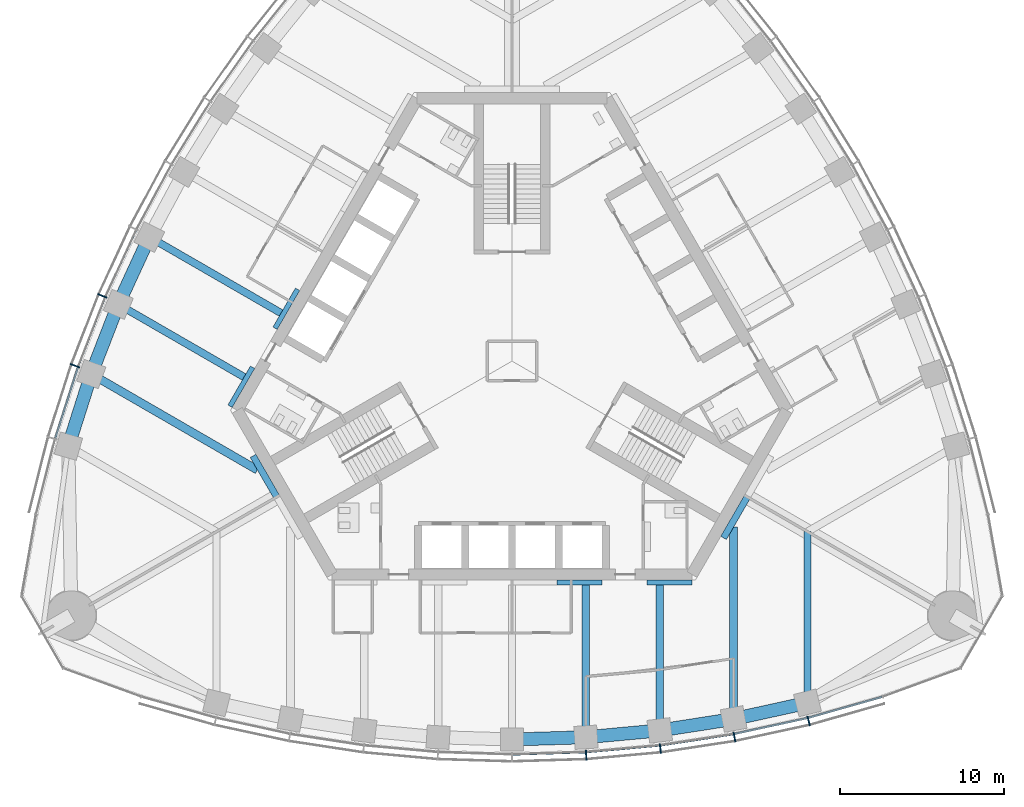
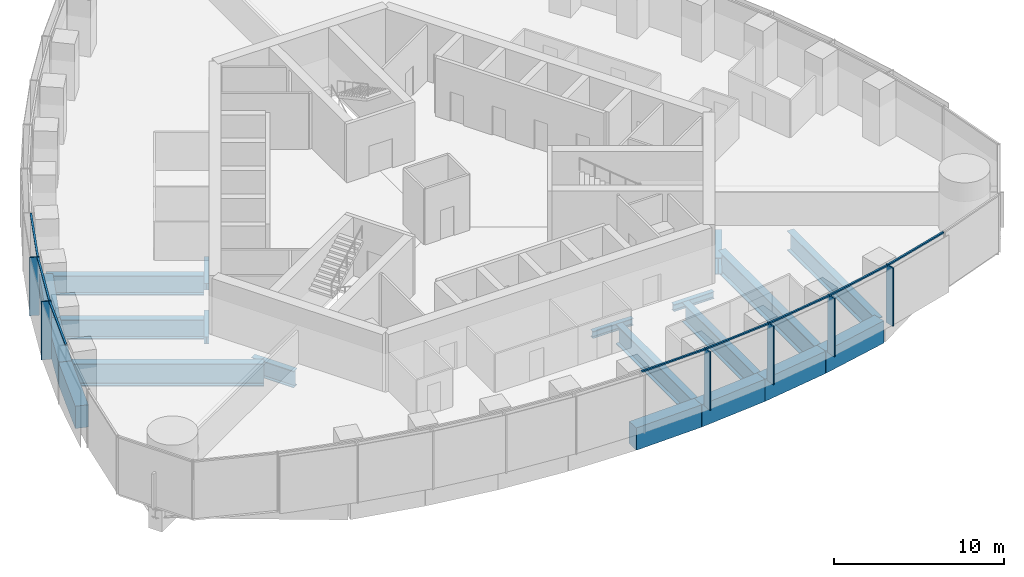
# One storey, part 3 of 14: 20 beams, 14 members, 2 elements without a shape of their own.
"""IFC4 building model written with IfcOpenShell, lengths in metres."""

from ifc_helpers import new_model, si_unit, direction, frame, origin, origin_2d, place, context, subcontext, project, spatial, rectangle, i_section, extrude, material, material_profile, profile_set, type_object, element, aggregate, save


model = new_model("IFC4")

# Units and contexts
model_context = context("Model", 3, precision=1e-05, world=origin(), true_north=direction((0.0, 1.0)))
body_context = subcontext(model_context, "Body", "Model", "MODEL_VIEW")
ifc_project = project(units=[si_unit("LENGTHUNIT", "METRE"), si_unit("AREAUNIT", "SQUARE_METRE"), si_unit("VOLUMEUNIT", "CUBIC_METRE"), si_unit("PLANEANGLEUNIT", "RADIAN"), si_unit("MASSUNIT", "GRAM", prefix="KILO")], contexts=[model_context])

# Site, building, storey
site_placement = place(None, origin())
site = spatial("IfcSite", under=ifc_project, at=site_placement, CompositionType="ELEMENT")
building_placement = place(site_placement, origin())
building = spatial("IfcBuilding", under=site, at=building_placement, Name="Trefoil Bronze Tower", CompositionType="ELEMENT")
storey_placement = place(building_placement, frame((0.0, 0.0, 280.5)))
storey = spatial("IfcBuildingStorey", under=building, at=storey_placement, Name="L64", CompositionType="ELEMENT", Elevation=280.5)

# Curtain wall, members
ifc_material_1 = material(Name="Tinted solar-control glass", Category="glass")
curtain_wall_type = type_object("IfcCurtainWallType", Name="Bronze office curtain wall", PredefinedType="USERDEFINED", material=ifc_material_1)
curtain_wall_1_placement = place(storey_placement, origin())
curtain_wall_1 = element("IfcCurtainWall", 1, at=curtain_wall_1_placement, inside=storey, type_object=curtain_wall_type, Name="CW-A L64 F1", ObjectType="CURTAIN WALL", PredefinedType="USERDEFINED")
ifc_material_2 = material(Name="Bronze-finish aluminium", Category="aluminium")
ifc_material_profile_1 = material_profile(ifc_material_2, rectangle(XDim=0.60009765625, YDim=0.080078125, at=origin_2d()), Name="CW-A mullion")
ifc_profile_set_1 = profile_set([ifc_material_profile_1], Name="Bronze-finish aluminium")
member_type_1 = type_object("IfcMemberType", Name="Bronze office curtain wall mullion", PredefinedType="MULLION", material=ifc_profile_set_1)
member_1_placement = place(storey_placement, frame((4.51806640625, -24.014892578125, 0.0), z_axis=(0.0, 0.0, 1.0), x_axis=(-0.060554040199, 0.998164920349, 0.0)))
member_1 = element("IfcMember", 2, at=member_1_placement, type_object=member_type_1, Name="CW-A L64 F1 mullion 7", PredefinedType="MULLION", context=body_context, shape_type="SweptSolid", body=[
    extrude(rectangle(XDim=0.60009765625, YDim=0.080078125, at=origin_2d()), origin(), (0.0, 0.0, 1.0), 4.179931640625),
])
member_2_placement = place(storey_placement, frame((9.036376953125, -23.602783203125, 0.0), z_axis=(0.0, 0.0, 1.0), x_axis=(-0.121109330868, 0.992639174109, 0.0)))
member_2 = element("IfcMember", 3, at=member_2_placement, type_object=member_type_1, Name="CW-A L64 F1 mullion 8", PredefinedType="MULLION", context=body_context, shape_type="SweptSolid", body=[
    extrude(rectangle(XDim=0.60009765625, YDim=0.080078125, at=origin_2d()), origin(), (0.0, 0.0, 1.0), 4.179931640625),
])
member_3_placement = place(storey_placement, frame((13.554443359375, -22.911376953125, 0.0), z_axis=(0.0, 0.0, 1.0), x_axis=(-0.181667218242, 0.983360067227, 0.0)))
member_3 = element("IfcMember", 4, at=member_3_placement, type_object=member_type_1, Name="CW-A L64 F1 mullion 9", PredefinedType="MULLION", context=body_context, shape_type="SweptSolid", body=[
    extrude(rectangle(XDim=0.60009765625, YDim=0.080078125, at=origin_2d()), origin(), (0.0, 0.0, 1.0), 4.179931640625),
])
member_4_placement = place(storey_placement, frame((18.07275390625, -21.931884765625, 0.0), z_axis=(0.0, 0.0, 1.0), x_axis=(-0.242394494031, 0.97017777199, 0.0)))
member_4 = element("IfcMember", 5, at=member_4_placement, type_object=member_type_1, Name="CW-A L64 F1 mullion 10", PredefinedType="MULLION", context=body_context, shape_type="SweptSolid", body=[
    extrude(rectangle(XDim=0.60009765625, YDim=0.080078125, at=origin_2d()), origin(), (0.0, 0.0, 1.0), 4.179931640625),
])

curtain_wall_2_placement = place(storey_placement, origin())
curtain_wall_2 = element("IfcCurtainWall", 6, at=curtain_wall_2_placement, inside=storey, type_object=curtain_wall_type, Name="CW-A L64 F3", ObjectType="CURTAIN WALL", PredefinedType="USERDEFINED")
member_5_placement = place(storey_placement, frame((-24.958984375, 3.975830078125, 0.0), z_axis=(0.0, 0.0, 1.0), x_axis=(0.920205407004, -0.391435829888, 0.0)))
member_5 = element("IfcMember", 7, at=member_5_placement, type_object=member_type_1, Name="CW-A L64 F3 mullion 8", PredefinedType="MULLION", context=body_context, shape_type="SweptSolid", body=[
    extrude(rectangle(XDim=0.60009765625, YDim=0.080078125, at=origin_2d()), origin(), (0.0, 0.0, 1.0), 4.179931640625),
])
member_6_placement = place(storey_placement, frame((-26.618896484375, -0.282958984375, 0.0), z_axis=(0.0, 0.0, 1.0), x_axis=(0.942448408407, -0.334351607581, 0.0)))
member_6 = element("IfcMember", 8, at=member_6_placement, type_object=member_type_1, Name="CW-A L64 F3 mullion 9", PredefinedType="MULLION", context=body_context, shape_type="SweptSolid", body=[
    extrude(rectangle(XDim=0.60009765625, YDim=0.080078125, at=origin_2d()), origin(), (0.0, 0.0, 1.0), 4.179931640625),
])

# Member
ifc_material_3 = material(Name="Bronze-finish aluminium", Category="aluminium")
ifc_material_profile_2 = material_profile(ifc_material_3, rectangle(XDim=0.1201171875, YDim=0.10009765625, at=origin_2d()), Name="CW-A transom")
ifc_profile_set_2 = profile_set([ifc_material_profile_2], Name="Bronze-finish aluminium")
member_type_2 = type_object("IfcMemberType", Name="Bronze office curtain wall transom", PredefinedType="USERDEFINED", material=ifc_profile_set_2)
member_7_placement = place(storey_placement, frame((0.04296875, -23.950439453125, 4.1298828125), z_axis=(0.99954057115, 0.030309183848, 0.0), x_axis=(-0.030309183848, 0.99954057115, 0.0)))
member_7 = element("IfcMember", 9, at=member_7_placement, type_object=member_type_2, Name="CW-A L64 F1 transom 6", ObjectType="TRANSOM", PredefinedType="USERDEFINED", context=body_context, shape_type="SweptSolid", body=[
    extrude(rectangle(XDim=0.1201171875, YDim=0.10009765625, at=origin_2d()), origin(), (0.0, 0.0, 1.0), 4.422119140625),
])

member_8_placement = place(storey_placement, frame((4.548828125, -23.811279296875, 4.1298828125), z_axis=(0.995868373079, 0.090808499059, 0.0), x_axis=(-0.090808499059, 0.995868373079, 0.0)))
member_8 = element("IfcMember", 10, at=member_8_placement, type_object=member_type_2, Name="CW-A L64 F1 transom 7", ObjectType="TRANSOM", PredefinedType="USERDEFINED", context=body_context, shape_type="SweptSolid", body=[
    extrude(rectangle(XDim=0.1201171875, YDim=0.10009765625, at=origin_2d()), origin(), (0.0, 0.0, 1.0), 4.438720703125),
])

member_9_placement = place(storey_placement, frame((9.0546875, -23.39794921875, 4.1298828125), z_axis=(0.988485016014, 0.151318779787, 0.0), x_axis=(-0.151318779787, 0.988485016014, 0.0)))
member_9 = element("IfcMember", 11, at=member_9_placement, type_object=member_type_2, Name="CW-A L64 F1 transom 8", ObjectType="TRANSOM", PredefinedType="USERDEFINED", context=body_context, shape_type="SweptSolid", body=[
    extrude(rectangle(XDim=0.1201171875, YDim=0.10009765625, at=origin_2d()), origin(), (0.0, 0.0, 1.0), 4.472412109375),
])

member_10_placement = place(storey_placement, frame((13.560302734375, -22.70556640625, 4.1298828125), z_axis=(0.977303780028, 0.211842681117, 0.0), x_axis=(-0.211842681117, 0.977303780028, 0.0)))
member_10 = element("IfcMember", 12, at=member_10_placement, type_object=member_type_2, Name="CW-A L64 F1 transom 9", ObjectType="TRANSOM", PredefinedType="USERDEFINED", context=body_context, shape_type="SweptSolid", body=[
    extrude(rectangle(XDim=0.1201171875, YDim=0.10009765625, at=origin_2d()), origin(), (0.0, 0.0, 1.0), 4.524658203125),
])

member_11_placement = place(storey_placement, frame((18.065673828125, -21.72607421875, 4.1298828125), z_axis=(0.962102611578, 0.272687668944, 0.0), x_axis=(-0.272687668944, 0.962102611578, 0.0)))
member_11 = element("IfcMember", 13, at=member_11_placement, type_object=member_type_2, Name="CW-A L64 F1 transom 10", ObjectType="TRANSOM", PredefinedType="USERDEFINED", context=body_context, shape_type="SweptSolid", body=[
    extrude(rectangle(XDim=0.1201171875, YDim=0.10009765625, at=origin_2d()), origin(), (0.0, 0.0, 1.0), 4.6474609375),
])

aggregate(curtain_wall_1, [member_1, member_2, member_3, member_4, member_7, member_8, member_9, member_10, member_11])

member_12_placement = place(storey_placement, frame((-22.895751953125, 7.966064453125, 4.1298828125), z_axis=(-0.4192988407, -0.907848270466, 0.0), x_axis=(0.907848270466, -0.4192988407, 0.0)))
member_12 = element("IfcMember", 14, at=member_12_placement, type_object=member_type_2, Name="CW-A L64 F3 transom 7", ObjectType="TRANSOM", PredefinedType="USERDEFINED", context=body_context, shape_type="SweptSolid", body=[
    extrude(rectangle(XDim=0.1201171875, YDim=0.10009765625, at=origin_2d()), origin(), (0.0, 0.0, 1.0), 4.4384765625),
])

member_13_placement = place(storey_placement, frame((-24.79052734375, 3.857421875, 4.1298828125), z_axis=(-0.363178486404, -0.931719586042, 0.0), x_axis=(0.931719586042, -0.363178486404, 0.0)))
member_13 = element("IfcMember", 15, at=member_13_placement, type_object=member_type_2, Name="CW-A L64 F3 transom 8", ObjectType="TRANSOM", PredefinedType="USERDEFINED", context=body_context, shape_type="SweptSolid", body=[
    extrude(rectangle(XDim=0.1201171875, YDim=0.10009765625, at=origin_2d()), origin(), (0.0, 0.0, 1.0), 4.472412109375),
])

member_14_placement = place(storey_placement, frame((-26.443603515625, -0.390869140625, 4.1298828125), z_axis=(-0.305198606794, -0.95228872219, 0.0), x_axis=(0.95228872219, -0.305198606794, 0.0)))
member_14 = element("IfcMember", 16, at=member_14_placement, type_object=member_type_2, Name="CW-A L64 F3 transom 9", ObjectType="TRANSOM", PredefinedType="USERDEFINED", context=body_context, shape_type="SweptSolid", body=[
    extrude(rectangle(XDim=0.1201171875, YDim=0.10009765625, at=origin_2d()), origin(), (0.0, 0.0, 1.0), 4.5244140625),
])

aggregate(curtain_wall_2, [member_5, member_6, member_12, member_13, member_14])

# Beams
ifc_material_4 = material(Name="Steel C355", Category="steel")
ifc_material_profile_3 = material_profile(ifc_material_4, i_section(OverallWidth=0.300048828125, OverallDepth=0.5, WebThickness=0.014404296875, FlangeThickness=0.028076171875, FilletRadius=0.027099609375, at=origin_2d()), Name="HEB 500")
ifc_profile_set_3 = profile_set([ifc_material_profile_3], Name="Steel C355")
beam_type_1 = type_object("IfcBeamType", Name="Core seat beam HEB 500", PredefinedType="BEAM", material=ifc_profile_set_3)
for number, where, z_axis, x_axis, name in (
    (17, (2.742431640625, -13.5, -0.449951171875), (1.0, 0.0, 0.0), (0.0, 1.0, 0.0), "Core seat beam F1/+1 L64"),
    (18, (8.227294921875, -13.5, -0.449951171875), (1.0, 0.0, 0.0), (0.0, 1.0, 0.0), "Core seat beam F1/+2 L64"),
    (19, (-13.0625, 4.375, -0.449951171875), (-0.500035825175, -0.866004719122, 0.0), (0.866004719122, -0.500035825175, 0.0), "Core seat beam F3/+1 L64"),
    (20, (-15.804931640625, -0.375, -0.449951171875), (-0.500035825175, -0.866004719122, 0.0), (0.866004719122, -0.500035825175, 0.0), "Core seat beam F3/+2 L64"),
):
    element("IfcBeam", number, at=place(storey_placement, frame(where, z_axis=z_axis, x_axis=x_axis)), inside=storey, type_object=beam_type_1, Name=name, PredefinedType="BEAM", context=body_context, shape_type="SweptSolid", body=[
        extrude(i_section(OverallWidth=0.300048828125, OverallDepth=0.5, WebThickness=0.014404296875, FlangeThickness=0.028076171875, FilletRadius=0.027099609375, at=origin_2d()), origin(), (0.0, 0.0, 1.0), 2.742431640625),
    ])
ifc_material_5 = material(Name="Steel C355", Category="steel")
ifc_material_profile_4 = material_profile(ifc_material_5, i_section(OverallWidth=0.39990234375, OverallDepth=1.199951171875, WebThickness=0.02001953125, FlangeThickness=0.0400390625, FilletRadius=0.010009765625, at=origin_2d()), Name="WPG 1200")
ifc_profile_set_4 = profile_set([ifc_material_profile_4], Name="Steel C355")
beam_type_2 = type_object("IfcBeamType", Name="Core seat beam WPG 1200", PredefinedType="BEAM", material=ifc_profile_set_4)
for number, where, z_axis, x_axis, name in (
    (21, (12.889404296875, -10.77490234375, -0.800048828125), (0.499995765644, 0.866027848477, 0.0), (-0.866027848477, 0.499995765644, 0.0), "Core seat beam F1/+3 L64"),
    (22, (-15.776123046875, -5.77490234375, -0.800048828125), (0.499995765644, -0.866027848477, 0.0), (0.866027848477, 0.499995765644, 0.0), "Core seat beam F3/+3 L64"),
):
    element("IfcBeam", number, at=place(storey_placement, frame(where, z_axis=z_axis, x_axis=x_axis)), inside=storey, type_object=beam_type_2, Name=name, PredefinedType="BEAM", context=body_context, shape_type="SweptSolid", body=[
        extrude(i_section(OverallWidth=0.39990234375, OverallDepth=1.199951171875, WebThickness=0.02001953125, FlangeThickness=0.0400390625, FilletRadius=0.010009765625, at=origin_2d()), origin(), (0.0, 0.0, 1.0), 2.88671875),
    ])
ifc_material_6 = material(Name="Steel C355", Category="steel")
ifc_material_profile_5 = material_profile(ifc_material_6, i_section(OverallWidth=0.449951171875, OverallDepth=1.39990234375, WebThickness=0.02294921875, FlangeThickness=0.044921875, FilletRadius=0.011962890625, at=origin_2d()), Name="WPG 1400")
ifc_profile_set_5 = profile_set([ifc_material_profile_5], Name="Steel C355")
beam_type_3 = type_object("IfcBeamType", Name="Floor beam WPG 1400", PredefinedType="BEAM", material=ifc_profile_set_5)
beam_1_placement = place(storey_placement, frame((4.5, -22.913818359375, -0.89990234375), z_axis=(0.0, 1.0, 0.0), x_axis=(-1.0, 0.0, 0.0)))
element("IfcBeam", 23, at=beam_1_placement, inside=storey, type_object=beam_type_3, Name="Floor beam F1/+1 L64", PredefinedType="BEAM", context=body_context, shape_type="SweptSolid", body=[
    extrude(i_section(OverallWidth=0.449951171875, OverallDepth=1.39990234375, WebThickness=0.02294921875, FlangeThickness=0.044921875, FilletRadius=0.011962890625, at=origin_2d()), origin(), (0.0, 0.0, 1.0), 9.263916015625),
])
beam_2_placement = place(storey_placement, frame((9.0, -22.499267578125, -0.89990234375), z_axis=(0.0, 1.0, 0.0), x_axis=(-1.0, 0.0, 0.0)))
element("IfcBeam", 24, at=beam_2_placement, inside=storey, type_object=beam_type_3, Name="Floor beam F1/+2 L64", PredefinedType="BEAM", context=body_context, shape_type="SweptSolid", body=[
    extrude(i_section(OverallWidth=0.449951171875, OverallDepth=1.39990234375, WebThickness=0.02294921875, FlangeThickness=0.044921875, FilletRadius=0.011962890625, at=origin_2d()), origin(), (0.0, 0.0, 1.0), 8.849365234375),
])
beam_3_placement = place(storey_placement, frame((18.0, -20.816162109375, -0.89990234375), z_axis=(0.0, 1.0, 0.0), x_axis=(-1.0, 0.0, 0.0)))
element("IfcBeam", 25, at=beam_3_placement, inside=storey, type_object=beam_type_3, Name="Floor beam F1/+4 L64", PredefinedType="BEAM", context=body_context, shape_type="SweptSolid", body=[
    extrude(i_section(OverallWidth=0.449951171875, OverallDepth=1.39990234375, WebThickness=0.02294921875, FlangeThickness=0.044921875, FilletRadius=0.011962890625, at=origin_2d()), origin(), (0.0, 0.0, 1.0), 10.423828125),
])
beam_4_placement = place(storey_placement, frame((-22.093994140625, 7.559814453125, -0.89990234375), z_axis=(0.866028909405, -0.499993928037, 0.0), x_axis=(0.499993928037, 0.866028909405, 0.0)))
element("IfcBeam", 26, at=beam_4_placement, inside=storey, type_object=beam_type_3, Name="Floor beam F3/+1 L64", PredefinedType="BEAM", context=body_context, shape_type="SweptSolid", body=[
    extrude(i_section(OverallWidth=0.449951171875, OverallDepth=1.39990234375, WebThickness=0.02294921875, FlangeThickness=0.044921875, FilletRadius=0.011962890625, at=origin_2d()), origin(), (0.0, 0.0, 1.0), 9.263671875),
])
beam_5_placement = place(storey_placement, frame((-23.98486328125, 3.455322265625, -0.89990234375), z_axis=(0.866025701847, -0.499999483739, 0.0), x_axis=(0.499999483739, 0.866025701847, 0.0)))
element("IfcBeam", 27, at=beam_5_placement, inside=storey, type_object=beam_type_3, Name="Floor beam F3/+2 L64", PredefinedType="BEAM", context=body_context, shape_type="SweptSolid", body=[
    extrude(i_section(OverallWidth=0.449951171875, OverallDepth=1.39990234375, WebThickness=0.02294921875, FlangeThickness=0.044921875, FilletRadius=0.011962890625, at=origin_2d()), origin(), (0.0, 0.0, 1.0), 8.84912109375),
])
ifc_material_7 = material(Name="Steel C355", Category="steel")
ifc_material_profile_6 = material_profile(ifc_material_7, i_section(OverallWidth=0.5, OverallDepth=1.60009765625, WebThickness=0.02587890625, FlangeThickness=0.050048828125, FilletRadius=0.011962890625, at=origin_2d()), Name="WPG 1600")
ifc_profile_set_6 = profile_set([ifc_material_profile_6], Name="Steel C355")
beam_type_4 = type_object("IfcBeamType", Name="Floor beam WPG 1600", PredefinedType="BEAM", material=ifc_profile_set_6)
beam_6_placement = place(storey_placement, frame((13.5, -21.802734375, -1.0), z_axis=(0.0, 1.0, 0.0), x_axis=(-1.0, 0.0, 0.0)))
element("IfcBeam", 28, at=beam_6_placement, inside=storey, type_object=beam_type_4, Name="Floor beam F1/+3 L64", PredefinedType="BEAM", context=body_context, shape_type="SweptSolid", body=[
    extrude(i_section(OverallWidth=0.5, OverallDepth=1.60009765625, WebThickness=0.02587890625, FlangeThickness=0.050048828125, FilletRadius=0.011962890625, at=origin_2d()), origin(), (0.0, 0.0, 1.0), 11.685302734375),
])
beam_7_placement = place(storey_placement, frame((-25.631591796875, -0.7900390625, -1.0), z_axis=(0.866026929639, -0.499997357134, 0.0), x_axis=(0.499997357134, 0.866026929639, 0.0)))
element("IfcBeam", 29, at=beam_7_placement, inside=storey, type_object=beam_type_4, Name="Floor beam F3/+3 L64", PredefinedType="BEAM", context=body_context, shape_type="SweptSolid", body=[
    extrude(i_section(OverallWidth=0.5, OverallDepth=1.60009765625, WebThickness=0.02587890625, FlangeThickness=0.050048828125, FilletRadius=0.011962890625, at=origin_2d()), origin(), (0.0, 0.0, 1.0), 11.68505859375),
])
ifc_material_8 = material(Name="Concrete B80", Category="concrete")
ifc_material_profile_7 = material_profile(ifc_material_8, rectangle(XDim=0.800048828125, YDim=1.60009765625, at=origin_2d()), Name="RC 800x1600")
ifc_profile_set_7 = profile_set([ifc_material_profile_7], Name="Concrete B80")
beam_type_5 = type_object("IfcBeamType", Name="Spandrel beam RC 800x1600", PredefinedType="SPANDREL", material=ifc_profile_set_7)
beam_8_placement = place(storey_placement, frame((0.0, -23.051513671875, -1.0), z_axis=(0.999532180362, 0.03058464354, 0.0), x_axis=(-0.03058464354, 0.999532180362, 0.0)))
element("IfcBeam", 30, at=beam_8_placement, inside=storey, type_object=beam_type_5, Name="Spandrel F1.6 L64", PredefinedType="SPANDREL", context=body_context, shape_type="SweptSolid", body=[
    extrude(rectangle(XDim=0.800048828125, YDim=1.60009765625, at=origin_2d()), origin(), (0.0, 0.0, 1.0), 4.502197265625),
])
beam_9_placement = place(storey_placement, frame((4.5, -22.913818359375, -1.0), z_axis=(0.995783550481, 0.091733966402, 0.0), x_axis=(-0.091733966402, 0.995783550481, 0.0)))
element("IfcBeam", 31, at=beam_9_placement, inside=storey, type_object=beam_type_5, Name="Spandrel F1.7 L64", PredefinedType="SPANDREL", context=body_context, shape_type="SweptSolid", body=[
    extrude(rectangle(XDim=0.800048828125, YDim=1.60009765625, at=origin_2d()), origin(), (0.0, 0.0, 1.0), 4.51904296875),
])
beam_10_placement = place(storey_placement, frame((9.0, -22.499267578125, -1.0), z_axis=(0.988231820946, 0.152963616816, 0.0), x_axis=(-0.152963616816, 0.988231820946, 0.0)))
element("IfcBeam", 32, at=beam_10_placement, inside=storey, type_object=beam_type_5, Name="Spandrel F1.8 L64", PredefinedType="SPANDREL", context=body_context, shape_type="SweptSolid", body=[
    extrude(rectangle(XDim=0.800048828125, YDim=1.60009765625, at=origin_2d()), origin(), (0.0, 0.0, 1.0), 4.553466796875),
])
beam_11_placement = place(storey_placement, frame((13.5, -21.802734375, -1.0), z_axis=(0.976800342355, 0.214152028182, 0.0), x_axis=(-0.214152028182, 0.976800342355, 0.0)))
element("IfcBeam", 33, at=beam_11_placement, inside=storey, type_object=beam_type_5, Name="Spandrel F1.9 L64", PredefinedType="SPANDREL", context=body_context, shape_type="SweptSolid", body=[
    extrude(rectangle(XDim=0.800048828125, YDim=1.60009765625, at=origin_2d()), origin(), (0.0, 0.0, 1.0), 4.60693359375),
])
beam_12_placement = place(storey_placement, frame((-22.093994140625, 7.559814453125, -1.0), z_axis=(-0.418417425199, -0.90825484215, 0.0), x_axis=(0.90825484215, -0.418417425199, 0.0)))
element("IfcBeam", 34, at=beam_12_placement, inside=storey, type_object=beam_type_5, Name="Spandrel F3.7 L64", PredefinedType="SPANDREL", context=body_context, shape_type="SweptSolid", body=[
    extrude(rectangle(XDim=0.800048828125, YDim=1.60009765625, at=origin_2d()), origin(), (0.0, 0.0, 1.0), 4.51904296875),
])
beam_13_placement = place(storey_placement, frame((-23.98486328125, 3.455322265625, -1.0), z_axis=(-0.361636286502, -0.932319256631, 0.0), x_axis=(0.932319256631, -0.361636286502, 0.0)))
element("IfcBeam", 35, at=beam_13_placement, inside=storey, type_object=beam_type_5, Name="Spandrel F3.8 L64", PredefinedType="SPANDREL", context=body_context, shape_type="SweptSolid", body=[
    extrude(rectangle(XDim=0.800048828125, YDim=1.60009765625, at=origin_2d()), origin(), (0.0, 0.0, 1.0), 4.553466796875),
])
beam_14_placement = place(storey_placement, frame((-25.631591796875, -0.7900390625, -1.0), z_axis=(-0.302969597344, -0.953000221975, 0.0), x_axis=(0.953000221975, -0.302969597344, 0.0)))
element("IfcBeam", 36, at=beam_14_placement, inside=storey, type_object=beam_type_5, Name="Spandrel F3.9 L64", PredefinedType="SPANDREL", context=body_context, shape_type="SweptSolid", body=[
    extrude(rectangle(XDim=0.800048828125, YDim=1.60009765625, at=origin_2d()), origin(), (0.0, 0.0, 1.0), 4.60693359375),
])

save(model, "model.ifc")
